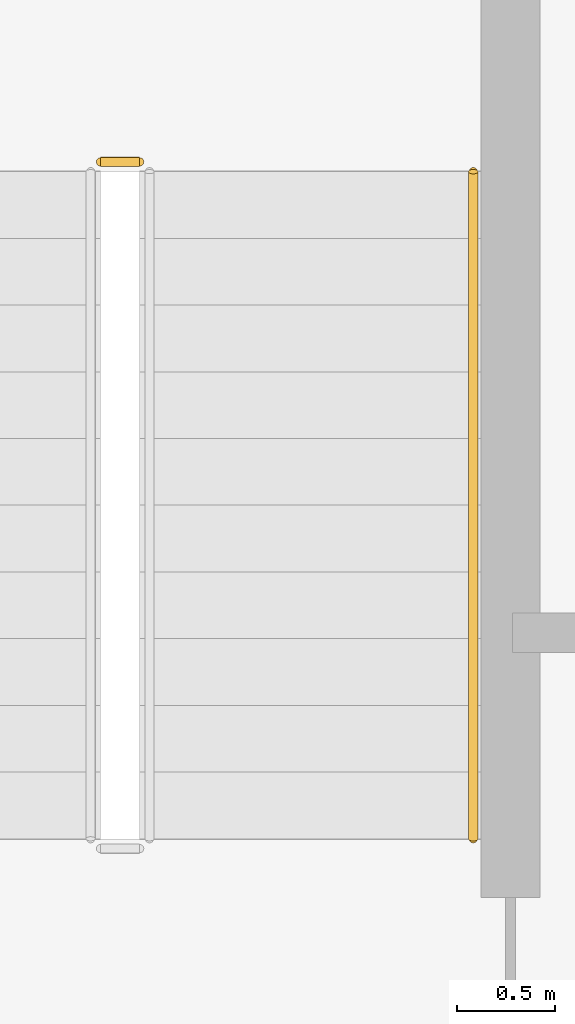
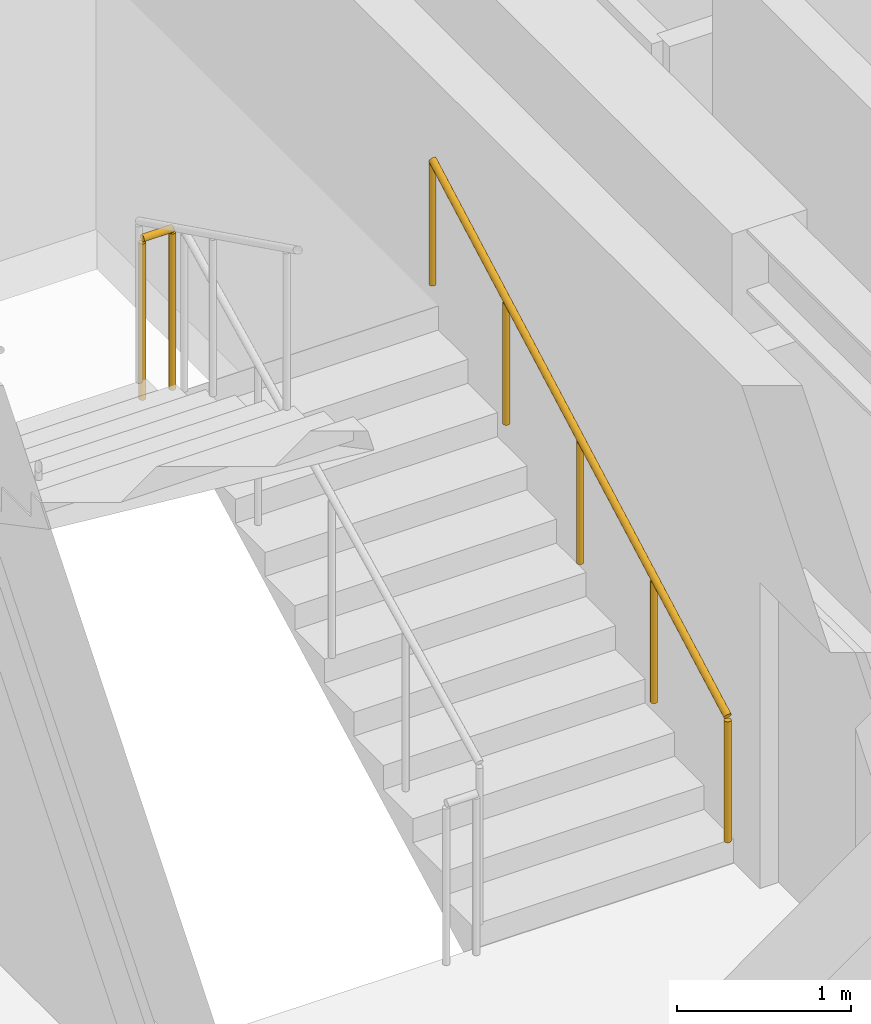
# One storey, part 35 of 36: 2 railings.
"""IFC4 building model written with IfcOpenShell, lengths in metres."""

from ifc_helpers import new_model, si_unit, direction, frame, origin, origin_2d, place, context, subcontext, project, spatial, circle, extrude, material, type_object, element, save


model = new_model("IFC4")

# Units and contexts
model_context = context("Model", 3, precision=1e-05, world=origin(), true_north=direction((0.0, 1.0)))
body_context = subcontext(model_context, "Body", "Model", "MODEL_VIEW")
ifc_project = project(units=[si_unit("LENGTHUNIT", "METRE"), si_unit("AREAUNIT", "SQUARE_METRE"), si_unit("VOLUMEUNIT", "CUBIC_METRE"), si_unit("PLANEANGLEUNIT", "RADIAN"), si_unit("MASSUNIT", "GRAM", prefix="KILO")], contexts=[model_context])

# Site, building, storey
site_placement = place(None, origin())
site = spatial("IfcSite", under=ifc_project, at=site_placement, CompositionType="ELEMENT")
building_placement = place(site_placement, origin())
building = spatial("IfcBuilding", under=site, at=building_placement, Name="Nahalor Promenade Grand Hotel", CompositionType="ELEMENT")
storey_placement = place(building_placement, frame((0.0, 0.0, 241.89990234375)))
storey = spatial("IfcBuildingStorey", under=building, at=storey_placement, Name="L62", CompositionType="ELEMENT", Elevation=241.89990234375)

# Railings
ifc_material = material(Name="Steel S355JR", Category="steel")
railing_type_1 = type_object("IfcRailingType", Name="Steel Stair Guardrail 1150 mm", PredefinedType="GUARDRAIL", material=ifc_material)
railing_1_placement = place(storey_placement, frame((5.699951171875, 11.550048828125, 1.85009765625)))
element("IfcRailing", 1, at=railing_1_placement, inside=storey, type_object=railing_type_1, Name="L62 ST1 stair guard 2", PredefinedType="GUARDRAIL", context=body_context, shape_type="SweptSolid", body=[
    extrude(circle(Radius=0.024048, at=origin_2d()), frame((0.0, 0.0, 1.1259765625), z_axis=(-1.0, 0.0, 0.0), x_axis=(0.0, -1.0, 0.0)), (0.0, 0.0, 1.0), 0.199951171875),
    extrude(circle(Radius=0.020996, at=origin_2d()), origin(), (0.0, 0.0, 1.0), 1.099853515625),
    extrude(circle(Radius=0.020996, at=origin_2d()), frame((-0.199951171875, 0.0, 0.0)), (0.0, 0.0, 1.0), 1.099853515625),
])
railing_type_2 = type_object("IfcRailingType", Name="Steel Stair Handrail 900 mm", PredefinedType="HANDRAIL", material=ifc_material)
railing_2_placement = place(storey_placement, frame((7.39990234375, 8.10009765625, 0.168212890625)))
element("IfcRailing", 2, at=railing_2_placement, inside=storey, type_object=railing_type_2, Name="L62 ST1 stair handrail 1", PredefinedType="HANDRAIL", context=body_context, shape_type="SweptSolid", body=[
    extrude(circle(Radius=0.024048, at=origin_2d()), frame((0.0, 0.0, 0.8759765625), z_axis=(0.0, 0.87837241229, 0.47797688786), x_axis=(-1.0, 0.0, 0.0)), (0.0, 0.0, 1.0), 3.87060546875),
    extrude(circle(Radius=0.020996, at=origin_2d()), origin(), (0.0, 0.0, 1.0), 0.849853515625),
    extrude(circle(Radius=0.020996, at=origin_2d()), frame((0.0, 0.85009765625, 0.46240234375)), (0.0, 0.0, 1.0), 0.849853515625),
    extrude(circle(Radius=0.020996, at=origin_2d()), frame((0.0, 1.699951171875, 0.925048828125)), (0.0, 0.0, 1.0), 0.849853515625),
    extrude(circle(Radius=0.020996, at=origin_2d()), frame((0.0, 2.5498046875, 1.3876953125)), (0.0, 0.0, 1.0), 0.849853515625),
    extrude(circle(Radius=0.020996, at=origin_2d()), frame((0.0, 3.39990234375, 1.85009765625)), (0.0, 0.0, 1.0), 0.849853515625),
])

save(model, "model.ifc")
